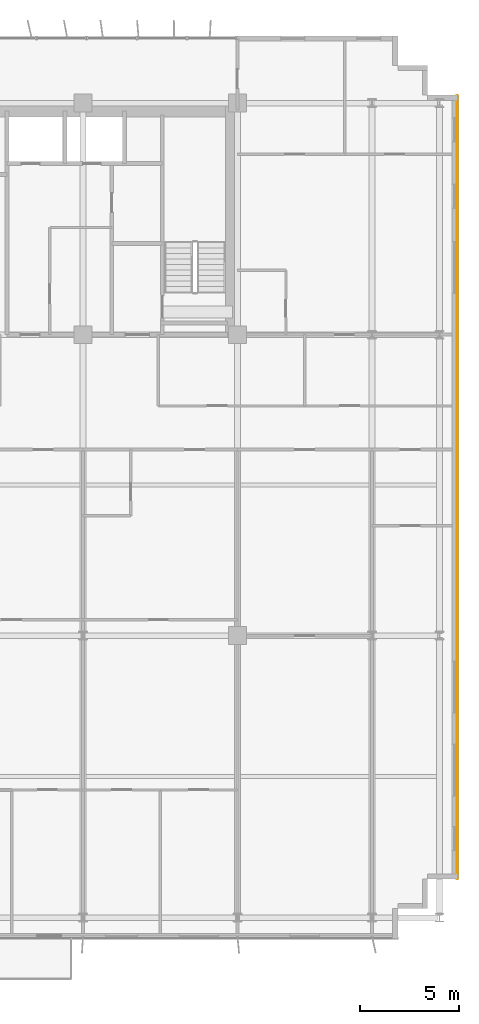
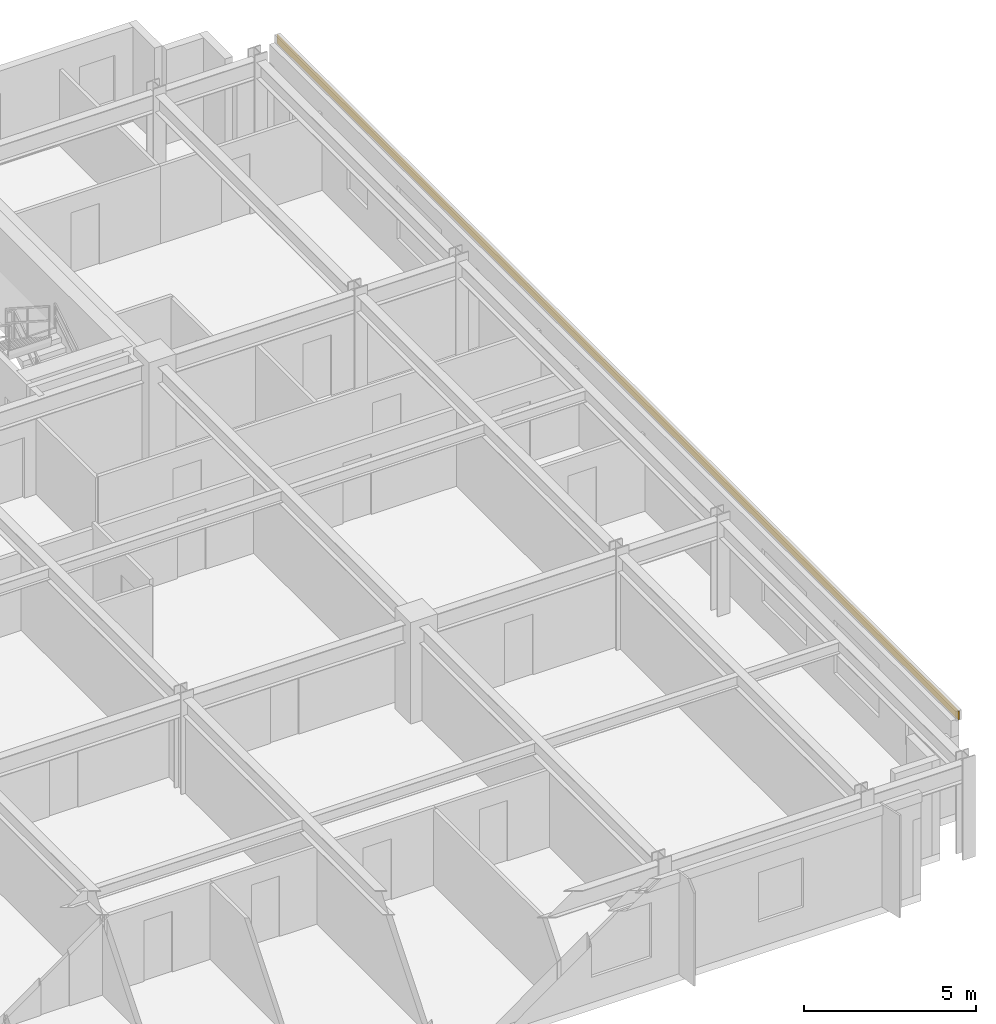
# One storey, part 24 of 24: 1 covering.
"""IFC4 building model written with IfcOpenShell, lengths in metres."""

from ifc_helpers import new_model, si_unit, direction, frame, origin, origin_2d, place, context, subcontext, project, spatial, rectangle, extrude, source, transform, mapped, material, layer, layer_set, type_object, element, save


model = new_model("IFC4")

# Units and contexts
model_context = context("Model", 3, precision=1e-05, world=origin(), true_north=direction((0.0, 1.0)))
body_context = subcontext(model_context, "Body", "Model", "MODEL_VIEW")
ifc_project = project(units=[si_unit("LENGTHUNIT", "METRE"), si_unit("AREAUNIT", "SQUARE_METRE"), si_unit("VOLUMEUNIT", "CUBIC_METRE"), si_unit("PLANEANGLEUNIT", "RADIAN"), si_unit("MASSUNIT", "GRAM", prefix="KILO")], contexts=[model_context])

# Site, building, storey
site_placement = place(None, origin())
site = spatial("IfcSite", under=ifc_project, at=site_placement, CompositionType="ELEMENT")
building_placement = place(site_placement, origin())
building = spatial("IfcBuilding", under=site, at=building_placement, Name="Trelvane Seafront Commons", CompositionType="ELEMENT")
storey_placement = place(building_placement, frame((0.0, 0.0, 27.10009765625)))
storey = spatial("IfcBuildingStorey", under=building, at=storey_placement, Name="L06", CompositionType="ELEMENT", Elevation=27.10009765625)

# Covering
ifc_material = material(Name="Anodised pale-silver aluminium", Category="aluminium")
ifc_layer = layer(ifc_material, 0.034912109375, Name="ARCH-COV-CLAD35")
ifc_layer_set = layer_set([ifc_layer], Name="Anodised pale-silver aluminium")
covering_type = type_object("IfcCoveringType", Name="ARCH-COV-CLAD35", PredefinedType="CLADDING", material=ifc_layer_set)
shared_shape = source(origin(), body_context, "Body", "SweptSolid", [
    extrude(rectangle(XDim=39.60009765625, YDim=0.034912109375, at=origin_2d()), origin(), (0.0, 0.0, 1.0), 0.300048828125),
])
covering_placement = place(storey_placement, frame((69.89990234375, 25.699951171875, 3.2998046875), z_axis=(0.0, 0.0, 1.0), x_axis=(0.0, -1.0, 0.0)))
element("IfcCovering", 1, at=covering_placement, inside=storey, type_object=covering_type, Name="CLD-L06-00043", PredefinedType="CLADDING", context=body_context, shape_type="MappedRepresentation", body=[
    mapped(shared_shape, transform((0.0, 0.0, 0.0), x_axis=(1.0, 0.0, 0.0), y_axis=(0.0, 1.0, 0.0), z_axis=(0.0, 0.0, 1.0), scale=1.0)),
])

save(model, "model.ifc")
